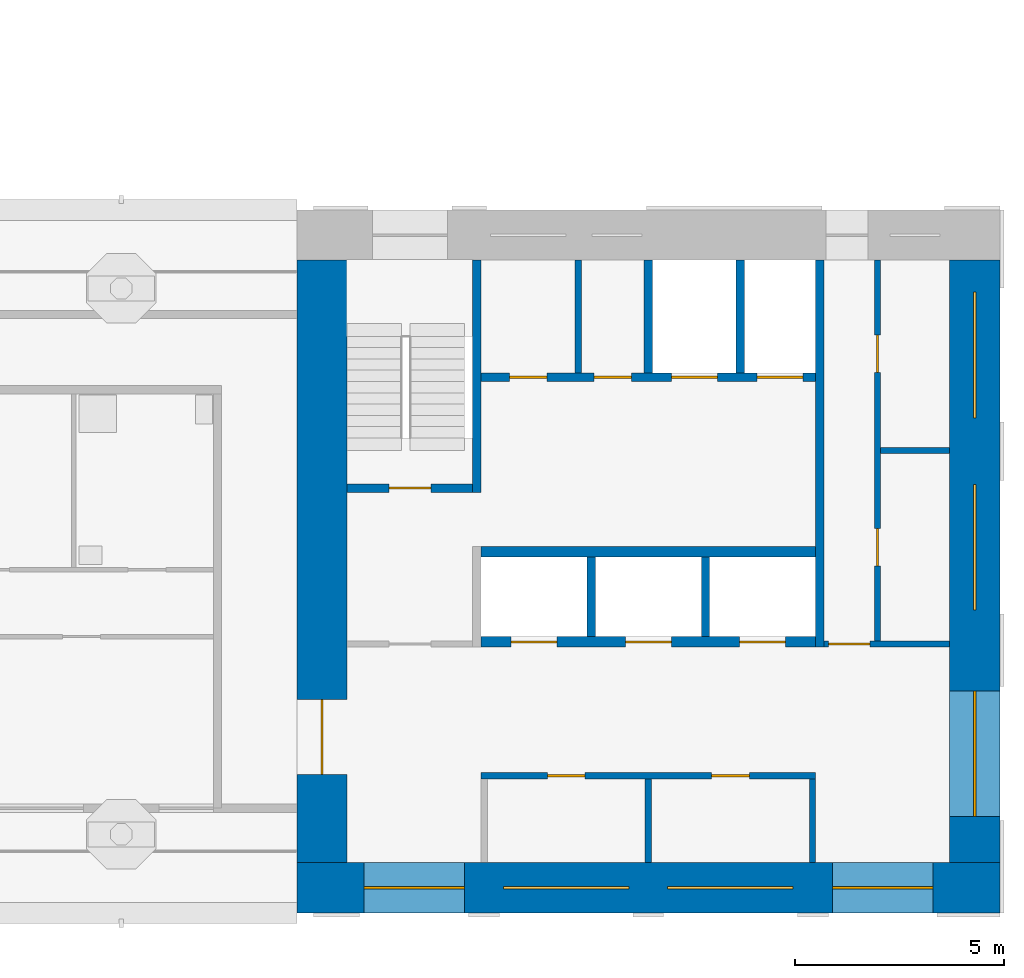
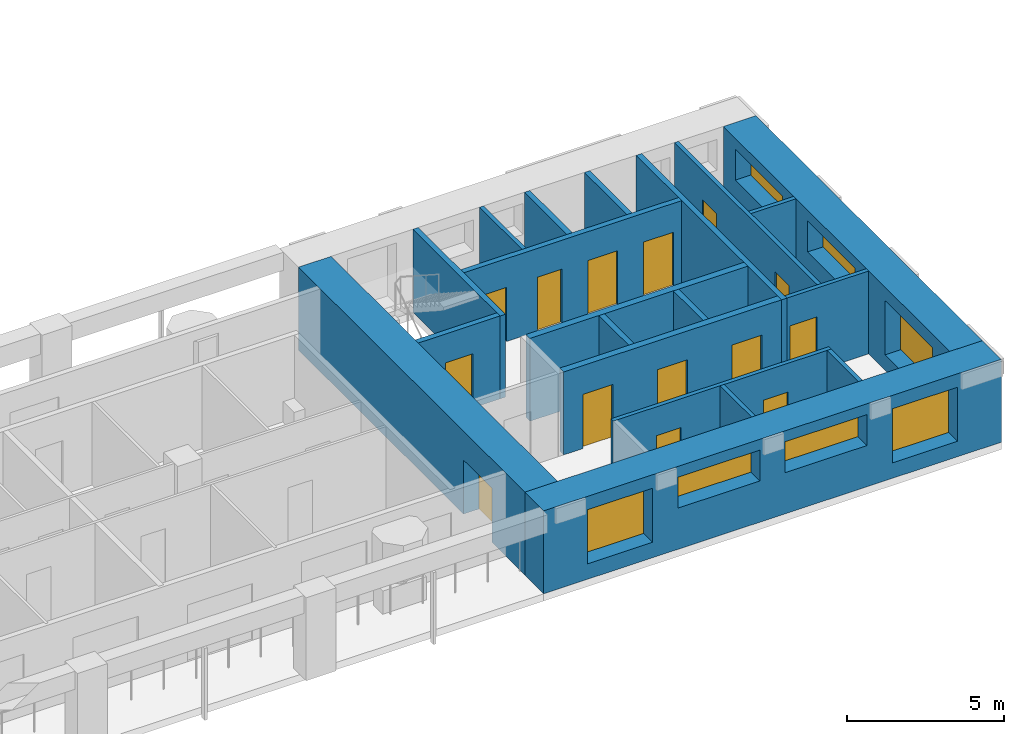
# One storey, part 4 of 11: 20 walls, 14 doors, 7 windows, 21 openings.
"""IFC4 building model written with IfcOpenShell, lengths in metres."""

from ifc_helpers import new_model, si_unit, direction, frame, frame_2d, origin, place, context, subcontext, project, spatial, rectangle, extrude, material, layer, layer_set, type_object, element, fill, save


model = new_model("IFC4")

# Units and contexts
model_context = context("Model", 3, precision=1e-05, world=origin(), true_north=direction((0.0, 1.0)))
body_context = subcontext(model_context, "Body", "Model", "MODEL_VIEW")
ifc_project = project(units=[si_unit("LENGTHUNIT", "METRE"), si_unit("AREAUNIT", "SQUARE_METRE"), si_unit("VOLUMEUNIT", "CUBIC_METRE"), si_unit("PLANEANGLEUNIT", "RADIAN"), si_unit("MASSUNIT", "GRAM", prefix="KILO")], contexts=[model_context])

# Site, building, storey
site_placement = place(None, origin())
site = spatial("IfcSite", under=ifc_project, at=site_placement, CompositionType="ELEMENT")
building_placement = place(site_placement, origin())
building = spatial("IfcBuilding", under=site, at=building_placement, Name="Vermilion Gate Residences", CompositionType="ELEMENT")
storey_placement = place(building_placement, frame((0.0, 0.0, 263.199951171875)))
storey = spatial("IfcBuildingStorey", under=building, at=storey_placement, Name="L69", CompositionType="ELEMENT", Elevation=263.199951171875)

# Walls
ifc_material_1 = material(Name="Masonry blockwork", Category="masonry")
ifc_layer_1 = layer(ifc_material_1, 0.14990234375)
ifc_layer_set_1 = layer_set([ifc_layer_1], Name="BLOCKWORK PARTITION 150 EI 120")
wall_type_1 = type_object("IfcWallType", Name="BLOCKWORK PARTITION 150 EI 120", PredefinedType="PARTITIONING", material=ifc_layer_set_1)
for number, where, z_axis, x_axis, name in (
    (1, (54.324951171875, 9.60009765625, 0.0), (0.0, 0.0, 1.0), (0.0, 1.0, 0.0), "Core room partition A69-RW-E"),
    (2, (50.39990234375, 9.60009765625, 0.0), (0.0, 0.0, 1.0), (0.0, 1.0, 0.0), "Core room partition A69-SR-P0"),
):
    element("IfcWall", number, at=place(storey_placement, frame(where, z_axis=z_axis, x_axis=x_axis)), inside=storey, type_object=wall_type_1, Name=name, PredefinedType="PARTITIONING", context=body_context, shape_type="SweptSolid", body=[
        extrude(rectangle(XDim=2.0, YDim=0.14990234375, at=frame_2d((1.0, 0.0))), origin(), (0.0, 0.0, 1.0), 3.219970703125),
    ])

# Wall, openings, doors
wall_1_placement = place(storey_placement, frame((46.39990234375, 11.675048828125, 0.0), z_axis=(0.0, 0.0, 1.0), x_axis=(1.0, 0.0, 0.0)))
wall_1 = element("IfcWall", 3, at=wall_1_placement, inside=storey, type_object=wall_type_1, Name="Core room partition A69-LR-F", PredefinedType="PARTITIONING", context=body_context, shape_type="SweptSolid", body=[
    extrude(rectangle(XDim=8.0, YDim=0.14990234375, at=frame_2d((4.0, 0.0))), origin(), (0.0, 0.0, 1.0), 3.219970703125),
])
opening_1_placement = place(wall_1_placement, frame((1.58740234375, 0.0, 0.0)))
opening_1 = element("IfcOpeningElement", 4, at=opening_1_placement, cuts=wall_1, Name="Opening DK69002", PredefinedType="OPENING", context=body_context, shape_type="SweptSolid", body=[
    extrude(rectangle(XDim=0.89990234375, YDim=2.10009765625, at=frame_2d((0.449951171875, 1.050048828125))), frame((0.0, 0.0849609375, 0.0), z_axis=(0.0, -1.0, 0.0), x_axis=(1.0, 0.0, 0.0)), (0.0, 0.0, 1.0), 0.169921875),
])
opening_2_placement = place(wall_1_placement, frame((5.512451171875, 0.0, 0.0)))
opening_2 = element("IfcOpeningElement", 5, at=opening_2_placement, cuts=wall_1, Name="Opening DK69003", PredefinedType="OPENING", context=body_context, shape_type="SweptSolid", body=[
    extrude(rectangle(XDim=0.89990234375, YDim=2.10009765625, at=frame_2d((0.449951171875, 1.050048828125))), frame((0.0, 0.0849609375, 0.0), z_axis=(0.0, -1.0, 0.0), x_axis=(1.0, 0.0, 0.0)), (0.0, 0.0, 1.0), 0.169921875),
])
ifc_material_2 = material(Name="Steel", Category="steel")
door_type_1 = type_object("IfcDoorType", Name="SERVICE ROOM DOOR FD60 900 X 2100", OperationType="SINGLE_SWING_LEFT", PredefinedType="DOOR", material=ifc_material_2)
door_1_placement = place(opening_1_placement, frame((0.89990234375, 0.0, 0.0), z_axis=(0.0, 0.0, 1.0), x_axis=(-1.0, 0.0, 0.0)))
door_1 = element("IfcDoor", 6, at=door_1_placement, inside=storey, type_object=door_type_1, Name="Housekeeping store A69", OperationType="SINGLE_SWING_RIGHT", OverallHeight=2.10009765625, OverallWidth=0.89990234375, PredefinedType="DOOR", context=body_context, shape_type="SweptSolid", body=[
    extrude(rectangle(XDim=0.89990234375, YDim=2.10009765625, at=frame_2d((0.449951171875, 1.050048828125))), frame((0.0, 0.02490234375, 0.0), z_axis=(0.0, -1.0, 0.0), x_axis=(1.0, 0.0, 0.0)), (0.0, 0.0, 1.0), 0.050048828125),
])
fill(opening_1, door_1)
door_2_placement = place(opening_2_placement, frame((0.89990234375, 0.0, 0.0), z_axis=(0.0, 0.0, 1.0), x_axis=(-1.0, 0.0, 0.0)))
door_2 = element("IfcDoor", 7, at=door_2_placement, inside=storey, type_object=door_type_1, Name="Fire equipment store A69", OperationType="SINGLE_SWING_RIGHT", OverallHeight=2.10009765625, OverallWidth=0.89990234375, PredefinedType="DOOR", context=body_context, shape_type="SweptSolid", body=[
    extrude(rectangle(XDim=0.89990234375, YDim=2.10009765625, at=frame_2d((0.449951171875, 1.050048828125))), frame((0.0, 0.02490234375, 0.0), z_axis=(0.0, -1.0, 0.0), x_axis=(1.0, 0.0, 0.0)), (0.0, 0.0, 1.0), 0.050048828125),
])
fill(opening_2, door_2)

# Wall
wall_2_placement = place(storey_placement, frame((48.72509765625, 21.300048828125, 0.0), z_axis=(0.0, 0.0, 1.0), x_axis=(0.0, 1.0, 0.0)))
element("IfcWall", 8, at=wall_2_placement, inside=storey, type_object=wall_type_1, Name="Core room partition A69-NR-P0", PredefinedType="PARTITIONING", context=body_context, shape_type="SweptSolid", body=[
    extrude(rectangle(XDim=2.699951171875, YDim=0.14990234375, at=frame_2d((1.35009765625, 0.0))), origin(), (0.0, 0.0, 1.0), 3.219970703125),
])

# Wall, opening, door
wall_3_placement = place(storey_placement, frame((54.60009765625, 14.824951171875, 0.0), z_axis=(0.0, 0.0, 1.0), x_axis=(1.0, 0.0, 0.0)))
wall_3 = element("IfcWall", 9, at=wall_3_placement, inside=storey, type_object=wall_type_1, Name="Core room partition A69-ES-S", PredefinedType="PARTITIONING", context=body_context, shape_type="SweptSolid", body=[
    extrude(rectangle(XDim=3.0, YDim=0.14990234375, at=frame_2d((1.5, 0.0))), origin(), (0.0, 0.0, 1.0), 3.219970703125),
])
opening_3_placement = place(wall_3_placement, frame((0.10009765625, 0.0, 0.0)))
opening_3 = element("IfcOpeningElement", 10, at=opening_3_placement, cuts=wall_3, Name="Opening DK69013", PredefinedType="OPENING", context=body_context, shape_type="SweptSolid", body=[
    extrude(rectangle(XDim=1.0, YDim=2.10009765625, at=frame_2d((0.5, 1.050048828125))), frame((0.0, 0.0849609375, 0.0), z_axis=(0.0, -1.0, 0.0), x_axis=(1.0, 0.0, 0.0)), (0.0, 0.0, 1.0), 0.169921875),
])
ifc_material_3 = material(Name="Steel", Category="steel")
door_type_2 = type_object("IfcDoorType", Name="FIRE DOOR FD60 1000 X 2100", OperationType="SINGLE_SWING_LEFT", PredefinedType="DOOR", material=ifc_material_3)
door_3_placement = place(opening_3_placement, frame((1.0, 0.0, 0.0), z_axis=(0.0, 0.0, 1.0), x_axis=(-1.0, 0.0, 0.0)))
door_3 = element("IfcDoor", 11, at=door_3_placement, inside=storey, type_object=door_type_2, Name="Service corridor door A69", OperationType="SINGLE_SWING_LEFT", OverallHeight=2.10009765625, OverallWidth=1.0, PredefinedType="DOOR", context=body_context, shape_type="SweptSolid", body=[
    extrude(rectangle(XDim=1.0, YDim=2.10009765625, at=frame_2d((0.5, 1.050048828125))), frame((0.0, 0.02490234375, 0.0), z_axis=(0.0, -1.0, 0.0), x_axis=(1.0, 0.0, 0.0)), (0.0, 0.0, 1.0), 0.050048828125),
])
fill(opening_3, door_3)

# Wall
wall_4_placement = place(storey_placement, frame((55.949951171875, 19.449951171875, 0.0), z_axis=(0.0, 0.0, 1.0), x_axis=(1.0, 0.0, 0.0)))
element("IfcWall", 12, at=wall_4_placement, inside=storey, type_object=wall_type_1, Name="Core room partition A69-ES-P0", PredefinedType="PARTITIONING", context=body_context, shape_type="SweptSolid", body=[
    extrude(rectangle(XDim=1.650146484375, YDim=0.14990234375, at=frame_2d((0.8251953125, 0.0))), origin(), (0.0, 0.0, 1.0), 3.219970703125),
])

# Wall, openings, doors
wall_5_placement = place(storey_placement, frame((55.875, 14.89990234375, 0.0), z_axis=(0.0, 0.0, 1.0), x_axis=(0.0, 1.0, 0.0)))
wall_5 = element("IfcWall", 13, at=wall_5_placement, inside=storey, type_object=wall_type_1, Name="Core room partition A69-ES-W", PredefinedType="PARTITIONING", context=body_context, shape_type="SweptSolid", body=[
    extrude(rectangle(XDim=9.10009765625, YDim=0.14990234375, at=frame_2d((4.550048828125, 0.0))), origin(), (0.0, 0.0, 1.0), 3.219970703125),
])
opening_4_placement = place(wall_5_placement, frame((1.78759765625, 0.0, 0.0)))
opening_4 = element("IfcOpeningElement", 14, at=opening_4_placement, cuts=wall_5, Name="Opening DK69014", PredefinedType="OPENING", context=body_context, shape_type="SweptSolid", body=[
    extrude(rectangle(XDim=0.89990234375, YDim=2.10009765625, at=frame_2d((0.449951171875, 1.050048828125))), frame((0.0, 0.0849609375, 0.0), z_axis=(0.0, -1.0, 0.0), x_axis=(1.0, 0.0, 0.0)), (0.0, 0.0, 1.0), 0.169921875),
])
opening_5_placement = place(wall_5_placement, frame((6.41259765625, 0.0, 0.0)))
opening_5 = element("IfcOpeningElement", 15, at=opening_5_placement, cuts=wall_5, Name="Opening DK69015", PredefinedType="OPENING", context=body_context, shape_type="SweptSolid", body=[
    extrude(rectangle(XDim=0.89990234375, YDim=2.10009765625, at=frame_2d((0.449951171875, 1.050048828125))), frame((0.0, 0.0849609375, 0.0), z_axis=(0.0, -1.0, 0.0), x_axis=(1.0, 0.0, 0.0)), (0.0, 0.0, 1.0), 0.169921875),
])
door_4_placement = place(opening_4_placement, frame((0.89990234375, 0.0, 0.0), z_axis=(0.0, 0.0, 1.0), x_axis=(-1.0, 0.0, 0.0)))
door_4 = element("IfcDoor", 16, at=door_4_placement, inside=storey, type_object=door_type_1, Name="Electrical room A69", OperationType="SINGLE_SWING_RIGHT", OverallHeight=2.10009765625, OverallWidth=0.89990234375, PredefinedType="DOOR", context=body_context, shape_type="SweptSolid", body=[
    extrude(rectangle(XDim=0.89990234375, YDim=2.10009765625, at=frame_2d((0.449951171875, 1.050048828125))), frame((0.0, 0.02490234375, 0.0), z_axis=(0.0, -1.0, 0.0), x_axis=(1.0, 0.0, 0.0)), (0.0, 0.0, 1.0), 0.050048828125),
])
fill(opening_4, door_4)
door_5_placement = place(opening_5_placement, frame((0.89990234375, 0.0, 0.0), z_axis=(0.0, 0.0, 1.0), x_axis=(-1.0, 0.0, 0.0)))
door_5 = element("IfcDoor", 17, at=door_5_placement, inside=storey, type_object=door_type_1, Name="Storage room A69", OperationType="SINGLE_SWING_RIGHT", OverallHeight=2.10009765625, OverallWidth=0.89990234375, PredefinedType="DOOR", context=body_context, shape_type="SweptSolid", body=[
    extrude(rectangle(XDim=0.89990234375, YDim=2.10009765625, at=frame_2d((0.449951171875, 1.050048828125))), frame((0.0, 0.02490234375, 0.0), z_axis=(0.0, -1.0, 0.0), x_axis=(1.0, 0.0, 0.0)), (0.0, 0.0, 1.0), 0.050048828125),
])
fill(opening_5, door_5)

# Walls
ifc_material_4 = material(Name="Concrete C60", Category="concrete")
ifc_layer_2 = layer(ifc_material_4, 0.199951171875)
ifc_layer_set_2 = layer_set([ifc_layer_2], Name="RC CORE INTERNAL WALL 200 C60")
wall_type_2 = type_object("IfcWallType", Name="RC CORE INTERNAL WALL 200 C60", PredefinedType="SHEAR", material=ifc_layer_set_2)
for number, where, z_axis, x_axis, name in (
    (18, (49.033447265625, 15.0, 0.0), (0.0, 0.0, 1.0), (0.0, 1.0, 0.0), "Core internal wall A69-HR-D1"),
    (19, (51.7666015625, 15.0, 0.0), (0.0, 0.0, 1.0), (0.0, 1.0, 0.0), "Core internal wall A69-HR-D2"),
):
    element("IfcWall", number, at=place(storey_placement, frame(where, z_axis=z_axis, x_axis=x_axis)), inside=storey, type_object=wall_type_2, Name=name, PredefinedType="SHEAR", context=body_context, shape_type="SweptSolid", body=[
        extrude(rectangle(XDim=1.89990234375, YDim=0.199951171875, at=frame_2d((0.949951171875, 0.0))), origin(), (0.0, 0.0, 1.0), 3.219970703125),
    ])
for number, where, z_axis, x_axis, name in (
    (20, (50.39990234375, 21.300048828125, 0.0), (0.0, 0.0, 1.0), (0.0, 1.0, 0.0), "Core internal wall A69-FF-D0"),
    (21, (52.60009765625, 21.300048828125, 0.0), (0.0, 0.0, 1.0), (0.0, 1.0, 0.0), "Core internal wall A69-FF-D1"),
):
    element("IfcWall", number, at=place(storey_placement, frame(where, z_axis=z_axis, x_axis=x_axis)), inside=storey, type_object=wall_type_2, Name=name, PredefinedType="SHEAR", context=body_context, shape_type="SweptSolid", body=[
        extrude(rectangle(XDim=2.699951171875, YDim=0.199951171875, at=frame_2d((1.35009765625, 0.0))), origin(), (0.0, 0.0, 1.0), 3.219970703125),
    ])

# Wall, openings, doors
wall_6_placement = place(storey_placement, frame((46.39990234375, 21.199951171875, 0.0), z_axis=(0.0, 0.0, 1.0), x_axis=(1.0, 0.0, 0.0)))
wall_6 = element("IfcWall", 22, at=wall_6_placement, inside=storey, type_object=wall_type_2, Name="Core internal wall A69-FF-F", PredefinedType="SHEAR", context=body_context, shape_type="SweptSolid", body=[
    extrude(rectangle(XDim=8.0, YDim=0.199951171875, at=frame_2d((4.0, 0.0))), origin(), (0.0, 0.0, 1.0), 3.219970703125),
])
opening_6_placement = place(wall_6_placement, frame((0.675048828125, 0.0, 0.0)))
opening_6 = element("IfcOpeningElement", 23, at=opening_6_placement, cuts=wall_6, Name="Opening DK69007", PredefinedType="OPENING", context=body_context, shape_type="SweptSolid", body=[
    extrude(rectangle(XDim=0.89990234375, YDim=2.10009765625, at=frame_2d((0.449951171875, 1.050048828125))), frame((0.0, 0.10986328125, 0.0), z_axis=(0.0, -1.0, 0.0), x_axis=(1.0, 0.0, 0.0)), (0.0, 0.0, 1.0), 0.219970703125),
])
opening_7_placement = place(wall_6_placement, frame((2.699951171875, 0.0, 0.0)))
opening_7 = element("IfcOpeningElement", 24, at=opening_7_placement, cuts=wall_6, Name="Opening DK69008", PredefinedType="OPENING", context=body_context, shape_type="SweptSolid", body=[
    extrude(rectangle(XDim=0.89990234375, YDim=2.10009765625, at=frame_2d((0.449951171875, 1.050048828125))), frame((0.0, 0.10986328125, 0.0), z_axis=(0.0, -1.0, 0.0), x_axis=(1.0, 0.0, 0.0)), (0.0, 0.0, 1.0), 0.219970703125),
])
opening_8_placement = place(wall_6_placement, frame((4.550048828125, 0.0, 0.0)))
opening_8 = element("IfcOpeningElement", 25, at=opening_8_placement, cuts=wall_6, Name="Opening LD", PredefinedType="OPENING", context=body_context, shape_type="SweptSolid", body=[
    extrude(rectangle(XDim=1.10009765625, YDim=2.10009765625, at=frame_2d((0.550048828125, 1.050048828125))), frame((0.0, 0.10986328125, 0.0), z_axis=(0.0, -1.0, 0.0), x_axis=(1.0, 0.0, 0.0)), (0.0, 0.0, 1.0), 0.219970703125),
])
opening_9_placement = place(wall_6_placement, frame((6.60009765625, 0.0, 0.0)))
opening_9 = element("IfcOpeningElement", 26, at=opening_9_placement, cuts=wall_6, Name="Opening LD", PredefinedType="OPENING", context=body_context, shape_type="SweptSolid", body=[
    extrude(rectangle(XDim=1.10009765625, YDim=2.10009765625, at=frame_2d((0.550048828125, 1.050048828125))), frame((0.0, 0.10986328125, 0.0), z_axis=(0.0, -1.0, 0.0), x_axis=(1.0, 0.0, 0.0)), (0.0, 0.0, 1.0), 0.219970703125),
])
ifc_material_5 = material(Name="Stainless steel", Category="steel")
door_type_3 = type_object("IfcDoorType", Name="LIFT LANDING DOOR E60 1100 X 2100", OperationType="DOUBLE_DOOR_SLIDING", PredefinedType="DOOR", material=ifc_material_5)
door_6_placement = place(opening_8_placement, origin())
door_6 = element("IfcDoor", 27, at=door_6_placement, inside=storey, type_object=door_type_3, Name="Lift landing door LFA1", OperationType="DOUBLE_DOOR_SLIDING", OverallHeight=2.10009765625, OverallWidth=1.10009765625, PredefinedType="DOOR", context=body_context, shape_type="SweptSolid", body=[
    extrude(rectangle(XDim=1.10009765625, YDim=2.10009765625, at=frame_2d((0.550048828125, 1.050048828125))), frame((0.0, 0.02490234375, 0.0), z_axis=(0.0, -1.0, 0.0), x_axis=(1.0, 0.0, 0.0)), (0.0, 0.0, 1.0), 0.050048828125),
])
fill(opening_8, door_6)
door_7_placement = place(opening_9_placement, origin())
door_7 = element("IfcDoor", 28, at=door_7_placement, inside=storey, type_object=door_type_3, Name="Lift landing door LCA1", OperationType="DOUBLE_DOOR_SLIDING", OverallHeight=2.10009765625, OverallWidth=1.10009765625, PredefinedType="DOOR", context=body_context, shape_type="SweptSolid", body=[
    extrude(rectangle(XDim=1.10009765625, YDim=2.10009765625, at=frame_2d((0.550048828125, 1.050048828125))), frame((0.0, 0.02490234375, 0.0), z_axis=(0.0, -1.0, 0.0), x_axis=(1.0, 0.0, 0.0)), (0.0, 0.0, 1.0), 0.050048828125),
])
fill(opening_9, door_7)
door_8_placement = place(opening_6_placement, origin())
door_8 = element("IfcDoor", 29, at=door_8_placement, inside=storey, type_object=door_type_1, Name="Parcel room A69", OperationType="SINGLE_SWING_LEFT", OverallHeight=2.10009765625, OverallWidth=0.89990234375, PredefinedType="DOOR", context=body_context, shape_type="SweptSolid", body=[
    extrude(rectangle(XDim=0.89990234375, YDim=2.10009765625, at=frame_2d((0.449951171875, 1.050048828125))), frame((0.0, 0.02490234375, 0.0), z_axis=(0.0, -1.0, 0.0), x_axis=(1.0, 0.0, 0.0)), (0.0, 0.0, 1.0), 0.050048828125),
])
fill(opening_6, door_8)
door_9_placement = place(opening_7_placement, frame((0.89990234375, 0.0, 0.0), z_axis=(0.0, 0.0, 1.0), x_axis=(-1.0, 0.0, 0.0)))
door_9 = element("IfcDoor", 30, at=door_9_placement, inside=storey, type_object=door_type_1, Name="Electrical room A69", OperationType="SINGLE_SWING_RIGHT", OverallHeight=2.10009765625, OverallWidth=0.89990234375, PredefinedType="DOOR", context=body_context, shape_type="SweptSolid", body=[
    extrude(rectangle(XDim=0.89990234375, YDim=2.10009765625, at=frame_2d((0.449951171875, 1.050048828125))), frame((0.0, 0.02490234375, 0.0), z_axis=(0.0, -1.0, 0.0), x_axis=(1.0, 0.0, 0.0)), (0.0, 0.0, 1.0), 0.050048828125),
])
fill(opening_7, door_9)

# Wall
wall_7_placement = place(storey_placement, frame((46.300048828125, 18.449951171875, 0.0), z_axis=(0.0, 0.0, 1.0), x_axis=(0.0, 1.0, 0.0)))
element("IfcWall", 31, at=wall_7_placement, inside=storey, type_object=wall_type_2, Name="Core internal wall A69-WDIV2", PredefinedType="SHEAR", context=body_context, shape_type="SweptSolid", body=[
    extrude(rectangle(XDim=5.550048828125, YDim=0.199951171875, at=frame_2d((2.77490234375, 0.0))), origin(), (0.0, 0.0, 1.0), 3.219970703125),
])

# Wall, opening, door
wall_8_placement = place(storey_placement, frame((43.199951171875, 18.550048828125, 0.0), z_axis=(0.0, 0.0, 1.0), x_axis=(1.0, 0.0, 0.0)))
wall_8 = element("IfcWall", 32, at=wall_8_placement, inside=storey, type_object=wall_type_2, Name="Core internal wall A69-STW-S", PredefinedType="SHEAR", context=body_context, shape_type="SweptSolid", body=[
    extrude(rectangle(XDim=3.0, YDim=0.199951171875, at=frame_2d((1.5, 0.0))), origin(), (0.0, 0.0, 1.0), 3.219970703125),
])
opening_10_placement = place(wall_8_placement, frame((1.0, 0.0, 0.0)))
opening_10 = element("IfcOpeningElement", 33, at=opening_10_placement, cuts=wall_8, Name="Opening DK69012", PredefinedType="OPENING", context=body_context, shape_type="SweptSolid", body=[
    extrude(rectangle(XDim=1.0, YDim=2.10009765625, at=frame_2d((0.5, 1.050048828125))), frame((0.0, 0.10986328125, 0.0), z_axis=(0.0, -1.0, 0.0), x_axis=(1.0, 0.0, 0.0)), (0.0, 0.0, 1.0), 0.219970703125),
])
door_10_placement = place(opening_10_placement, origin())
door_10 = element("IfcDoor", 34, at=door_10_placement, inside=storey, type_object=door_type_2, Name="Stair door A69", OperationType="SINGLE_SWING_LEFT", OverallHeight=2.10009765625, OverallWidth=1.0, PredefinedType="DOOR", context=body_context, shape_type="SweptSolid", body=[
    extrude(rectangle(XDim=1.0, YDim=2.10009765625, at=frame_2d((0.5, 1.050048828125))), frame((0.0, 0.02490234375, 0.0), z_axis=(0.0, -1.0, 0.0), x_axis=(1.0, 0.0, 0.0)), (0.0, 0.0, 1.0), 0.050048828125),
])
fill(opening_10, door_10)

# Wall
wall_9_placement = place(storey_placement, frame((54.5, 14.75, 0.0), z_axis=(0.0, 0.0, 1.0), x_axis=(0.0, 1.0, 0.0)))
element("IfcWall", 35, at=wall_9_placement, inside=storey, type_object=wall_type_2, Name="Core internal wall A69-EDIV", PredefinedType="SHEAR", context=body_context, shape_type="SweptSolid", body=[
    extrude(rectangle(XDim=9.25, YDim=0.199951171875, at=frame_2d((4.625, 0.0))), origin(), (0.0, 0.0, 1.0), 3.219970703125),
])

# Wall, opening, door
ifc_material_6 = material(Name="Concrete C50", Category="concrete")
ifc_layer_3 = layer(ifc_material_6, 1.199951171875)
ifc_layer_set_3 = layer_set([ifc_layer_3], Name="RC CORE WALL 1200 C50")
wall_type_3 = type_object("IfcWallType", Name="RC CORE WALL 1200 C50", PredefinedType="SHEAR", material=ifc_layer_set_3)
wall_10_placement = place(storey_placement, frame((42.60009765625, 9.60009765625, 0.0), z_axis=(0.0, 0.0, 1.0), x_axis=(0.0, 1.0, 0.0)))
wall_10 = element("IfcWall", 36, at=wall_10_placement, inside=storey, type_object=wall_type_3, Name="Core wall A69-OUT-FR", PredefinedType="SHEAR", context=body_context, shape_type="SweptSolid", body=[
    extrude(rectangle(XDim=14.39990234375, YDim=1.199951171875, at=frame_2d((7.199951171875, 0.0))), origin(), (0.0, 0.0, 1.0), 3.219970703125),
])
opening_11_placement = place(wall_10_placement, frame((2.10009765625, 0.0, 0.0)))
opening_11 = element("IfcOpeningElement", 37, at=opening_11_placement, cuts=wall_10, Name="Opening DK69001", PredefinedType="OPENING", context=body_context, shape_type="SweptSolid", body=[
    extrude(rectangle(XDim=1.800048828125, YDim=2.10009765625, at=frame_2d((0.89990234375, 1.050048828125))), frame((0.0, 0.60986328125, 0.0), z_axis=(0.0, -1.0, 0.0), x_axis=(1.0, 0.0, 0.0)), (0.0, 0.0, 1.0), 1.219970703125),
])
ifc_material_7 = material(Name="Steel", Category="steel")
door_type_4 = type_object("IfcDoorType", Name="CORE LOBBY DOOR FD60 1800 X 2100", OperationType="DOUBLE_DOOR_SINGLE_SWING", PredefinedType="DOOR", material=ifc_material_7)
door_11_placement = place(opening_11_placement, frame((1.800048828125, 0.0, 0.0), z_axis=(0.0, 0.0, 1.0), x_axis=(-1.0, 0.0, 0.0)))
door_11 = element("IfcDoor", 38, at=door_11_placement, inside=storey, type_object=door_type_4, Name="Core lobby door A69", OperationType="DOUBLE_DOOR_SINGLE_SWING", OverallHeight=2.10009765625, OverallWidth=1.800048828125, PredefinedType="DOOR", context=body_context, shape_type="SweptSolid", body=[
    extrude(rectangle(XDim=1.800048828125, YDim=2.10009765625, at=frame_2d((0.89990234375, 1.050048828125))), frame((0.0, 0.02490234375, 0.0), z_axis=(0.0, -1.0, 0.0), x_axis=(1.0, 0.0, 0.0)), (0.0, 0.0, 1.0), 0.050048828125),
])
fill(opening_11, door_11)

# Wall, openings, windows
ifc_material_8 = material(Name="Concrete C50 red-oxide pigmented", Category="concrete")
ifc_layer_4 = layer(ifc_material_8, 1.199951171875)
ifc_layer_set_4 = layer_set([ifc_layer_4], Name="RC CORE WALL 1200 C50 RED OXIDE")
wall_type_4 = type_object("IfcWallType", Name="RC CORE WALL 1200 C50 RED OXIDE", PredefinedType="SHEAR", material=ifc_layer_set_4)
wall_11_placement = place(storey_placement, frame((42.0, 9.0, 0.0), z_axis=(0.0, 0.0, 1.0), x_axis=(1.0, 0.0, 0.0)))
wall_11 = element("IfcWall", 39, at=wall_11_placement, inside=storey, type_object=wall_type_4, Name="Core wall A69-OUT-B0", PredefinedType="SHEAR", context=body_context, shape_type="SweptSolid", body=[
    extrude(rectangle(XDim=16.800048828125, YDim=1.199951171875, at=frame_2d((8.39990234375, 0.0))), origin(), (0.0, 0.0, 1.0), 3.219970703125),
])
opening_12_placement = place(wall_11_placement, frame((1.60009765625, 0.0, 0.60009765625)))
opening_12 = element("IfcOpeningElement", 40, at=opening_12_placement, cuts=wall_11, Name="Opening WKA6901", PredefinedType="OPENING", context=body_context, shape_type="SweptSolid", body=[
    extrude(rectangle(XDim=2.39990234375, YDim=2.10009765625, at=frame_2d((1.199951171875, 1.050048828125))), frame((0.0, 0.60986328125, 0.0), z_axis=(0.0, -1.0, 0.0), x_axis=(1.0, 0.0, 0.0)), (0.0, 0.0, 1.0), 1.219970703125),
])
opening_13_placement = place(wall_11_placement, frame((4.9375, 0.0, 1.60009765625)))
opening_13 = element("IfcOpeningElement", 41, at=opening_13_placement, cuts=wall_11, Name="Opening WKA6902", PredefinedType="OPENING", context=body_context, shape_type="SweptSolid", body=[
    extrude(rectangle(XDim=3.0, YDim=1.199951171875, at=frame_2d((1.5, 0.60009765625))), frame((0.0, 0.60986328125, 0.0), z_axis=(0.0, -1.0, 0.0), x_axis=(1.0, 0.0, 0.0)), (0.0, 0.0, 1.0), 1.219970703125),
])
opening_14_placement = place(wall_11_placement, frame((8.862548828125, 0.0, 1.60009765625)))
opening_14 = element("IfcOpeningElement", 42, at=opening_14_placement, cuts=wall_11, Name="Opening WKA6903", PredefinedType="OPENING", context=body_context, shape_type="SweptSolid", body=[
    extrude(rectangle(XDim=3.0, YDim=1.199951171875, at=frame_2d((1.5, 0.60009765625))), frame((0.0, 0.60986328125, 0.0), z_axis=(0.0, -1.0, 0.0), x_axis=(1.0, 0.0, 0.0)), (0.0, 0.0, 1.0), 1.219970703125),
])
opening_15_placement = place(wall_11_placement, frame((12.800048828125, 0.0, 0.60009765625)))
opening_15 = element("IfcOpeningElement", 43, at=opening_15_placement, cuts=wall_11, Name="Opening WKA6904", PredefinedType="OPENING", context=body_context, shape_type="SweptSolid", body=[
    extrude(rectangle(XDim=2.39990234375, YDim=2.10009765625, at=frame_2d((1.199951171875, 1.050048828125))), frame((0.0, 0.60986328125, 0.0), z_axis=(0.0, -1.0, 0.0), x_axis=(1.0, 0.0, 0.0)), (0.0, 0.0, 1.0), 1.219970703125),
])
ifc_material_9 = material(Name="Aluminium and clear glass", Category="aluminium")
window_type_1 = type_object("IfcWindowType", Name="CORE LOBBY WINDOW 2400 X 2100", PartitioningType="SINGLE_PANEL", PredefinedType="WINDOW", material=ifc_material_9)
window_1_placement = place(opening_12_placement, origin())
window_1 = element("IfcWindow", 44, at=window_1_placement, inside=storey, type_object=window_type_1, Name="Core lobby window", OverallHeight=2.10009765625, OverallWidth=2.39990234375, PartitioningType="SINGLE_PANEL", PredefinedType="WINDOW", context=body_context, shape_type="SweptSolid", body=[
    extrude(rectangle(XDim=2.39990234375, YDim=2.10009765625, at=frame_2d((1.199951171875, 1.050048828125))), frame((0.0, 0.030029296875, 0.0), z_axis=(0.0, -1.0, 0.0), x_axis=(1.0, 0.0, 0.0)), (0.0, 0.0, 1.0), 0.06005859375),
])
fill(opening_12, window_1)
window_2_placement = place(opening_15_placement, origin())
window_2 = element("IfcWindow", 45, at=window_2_placement, inside=storey, type_object=window_type_1, Name="Core lobby window", OverallHeight=2.10009765625, OverallWidth=2.39990234375, PartitioningType="SINGLE_PANEL", PredefinedType="WINDOW", context=body_context, shape_type="SweptSolid", body=[
    extrude(rectangle(XDim=2.39990234375, YDim=2.10009765625, at=frame_2d((1.199951171875, 1.050048828125))), frame((0.0, 0.030029296875, 0.0), z_axis=(0.0, -1.0, 0.0), x_axis=(1.0, 0.0, 0.0)), (0.0, 0.0, 1.0), 0.06005859375),
])
fill(opening_15, window_2)
ifc_material_10 = material(Name="Aluminium frame with louvre blades", Category="aluminium")
window_type_2 = type_object("IfcWindowType", Name="CORE LOUVRE 3000 X 1200", PartitioningType="SINGLE_PANEL", PredefinedType="WINDOW", material=ifc_material_10)
window_3_placement = place(opening_13_placement, origin())
window_3 = element("IfcWindow", 46, at=window_3_placement, inside=storey, type_object=window_type_2, Name="Core louvre", OverallHeight=1.199951171875, OverallWidth=3.0, PartitioningType="SINGLE_PANEL", PredefinedType="WINDOW", context=body_context, shape_type="SweptSolid", body=[
    extrude(rectangle(XDim=3.0, YDim=1.199951171875, at=frame_2d((1.5, 0.60009765625))), frame((0.0, 0.030029296875, 0.0), z_axis=(0.0, -1.0, 0.0), x_axis=(1.0, 0.0, 0.0)), (0.0, 0.0, 1.0), 0.06005859375),
])
fill(opening_13, window_3)
window_4_placement = place(opening_14_placement, origin())
window_4 = element("IfcWindow", 47, at=window_4_placement, inside=storey, type_object=window_type_2, Name="Core louvre", OverallHeight=1.199951171875, OverallWidth=3.0, PartitioningType="SINGLE_PANEL", PredefinedType="WINDOW", context=body_context, shape_type="SweptSolid", body=[
    extrude(rectangle(XDim=3.0, YDim=1.199951171875, at=frame_2d((1.5, 0.60009765625))), frame((0.0, 0.030029296875, 0.0), z_axis=(0.0, -1.0, 0.0), x_axis=(1.0, 0.0, 0.0)), (0.0, 0.0, 1.0), 0.06005859375),
])
fill(opening_14, window_4)

wall_12_placement = place(storey_placement, frame((58.199951171875, 9.60009765625, 0.0), z_axis=(0.0, 0.0, 1.0), x_axis=(0.0, 1.0, 0.0)))
wall_12 = element("IfcWall", 48, at=wall_12_placement, inside=storey, type_object=wall_type_4, Name="Core wall A69-OUT-BK", PredefinedType="SHEAR", context=body_context, shape_type="SweptSolid", body=[
    extrude(rectangle(XDim=14.39990234375, YDim=1.199951171875, at=frame_2d((7.199951171875, 0.0))), origin(), (0.0, 0.0, 1.0), 3.219970703125),
])
opening_16_placement = place(wall_12_placement, frame((1.10498046875, 0.0, 0.60009765625)))
opening_16 = element("IfcOpeningElement", 49, at=opening_16_placement, cuts=wall_12, Name="Opening WKA6910", PredefinedType="OPENING", context=body_context, shape_type="SweptSolid", body=[
    extrude(rectangle(XDim=3.0, YDim=2.10009765625, at=frame_2d((1.5, 1.050048828125))), frame((0.0, 0.60986328125, 0.0), z_axis=(0.0, -1.0, 0.0), x_axis=(1.0, 0.0, 0.0)), (0.0, 0.0, 1.0), 1.219970703125),
])
opening_17_placement = place(wall_12_placement, frame((6.03759765625, 0.0, 1.60009765625)))
opening_17 = element("IfcOpeningElement", 50, at=opening_17_placement, cuts=wall_12, Name="Opening WKA6911", PredefinedType="OPENING", context=body_context, shape_type="SweptSolid", body=[
    extrude(rectangle(XDim=3.0, YDim=1.199951171875, at=frame_2d((1.5, 0.60009765625))), frame((0.0, 0.60986328125, 0.0), z_axis=(0.0, -1.0, 0.0), x_axis=(1.0, 0.0, 0.0)), (0.0, 0.0, 1.0), 1.219970703125),
])
opening_18_placement = place(wall_12_placement, frame((10.632568359375, 0.0, 1.60009765625)))
opening_18 = element("IfcOpeningElement", 51, at=opening_18_placement, cuts=wall_12, Name="Opening WKA6912", PredefinedType="OPENING", context=body_context, shape_type="SweptSolid", body=[
    extrude(rectangle(XDim=3.0, YDim=1.199951171875, at=frame_2d((1.5, 0.60009765625))), frame((0.0, 0.60986328125, 0.0), z_axis=(0.0, -1.0, 0.0), x_axis=(1.0, 0.0, 0.0)), (0.0, 0.0, 1.0), 1.219970703125),
])
ifc_material_11 = material(Name="Aluminium and clear glass", Category="aluminium")
window_type_3 = type_object("IfcWindowType", Name="CORE LOBBY WINDOW 3000 X 2100", PartitioningType="SINGLE_PANEL", PredefinedType="WINDOW", material=ifc_material_11)
window_5_placement = place(opening_16_placement, origin())
window_5 = element("IfcWindow", 52, at=window_5_placement, inside=storey, type_object=window_type_3, Name="Core lobby window", OverallHeight=2.10009765625, OverallWidth=3.0, PartitioningType="SINGLE_PANEL", PredefinedType="WINDOW", context=body_context, shape_type="SweptSolid", body=[
    extrude(rectangle(XDim=3.0, YDim=2.10009765625, at=frame_2d((1.5, 1.050048828125))), frame((0.0, 0.030029296875, 0.0), z_axis=(0.0, -1.0, 0.0), x_axis=(1.0, 0.0, 0.0)), (0.0, 0.0, 1.0), 0.06005859375),
])
fill(opening_16, window_5)
window_6_placement = place(opening_17_placement, origin())
window_6 = element("IfcWindow", 53, at=window_6_placement, inside=storey, type_object=window_type_2, Name="Core louvre", OverallHeight=1.199951171875, OverallWidth=3.0, PartitioningType="SINGLE_PANEL", PredefinedType="WINDOW", context=body_context, shape_type="SweptSolid", body=[
    extrude(rectangle(XDim=3.0, YDim=1.199951171875, at=frame_2d((1.5, 0.60009765625))), frame((0.0, 0.030029296875, 0.0), z_axis=(0.0, -1.0, 0.0), x_axis=(1.0, 0.0, 0.0)), (0.0, 0.0, 1.0), 0.06005859375),
])
fill(opening_17, window_6)
window_7_placement = place(opening_18_placement, origin())
window_7 = element("IfcWindow", 54, at=window_7_placement, inside=storey, type_object=window_type_2, Name="Core louvre", OverallHeight=1.199951171875, OverallWidth=3.0, PartitioningType="SINGLE_PANEL", PredefinedType="WINDOW", context=body_context, shape_type="SweptSolid", body=[
    extrude(rectangle(XDim=3.0, YDim=1.199951171875, at=frame_2d((1.5, 0.60009765625))), frame((0.0, 0.030029296875, 0.0), z_axis=(0.0, -1.0, 0.0), x_axis=(1.0, 0.0, 0.0)), (0.0, 0.0, 1.0), 0.06005859375),
])
fill(opening_18, window_7)

# Wall, openings, doors
ifc_material_12 = material(Name="Concrete C60", Category="concrete")
ifc_layer_5 = layer(ifc_material_12, 0.25)
ifc_layer_set_5 = layer_set([ifc_layer_5], Name="RC LIFT SHAFT WALL 250 C60")
wall_type_5 = type_object("IfcWallType", Name="RC LIFT SHAFT WALL 250 C60", PredefinedType="SHEAR", material=ifc_layer_set_5)
wall_13_placement = place(storey_placement, frame((46.39990234375, 14.875, 0.0), z_axis=(0.0, 0.0, 1.0), x_axis=(1.0, 0.0, 0.0)))
wall_13 = element("IfcWall", 55, at=wall_13_placement, inside=storey, type_object=wall_type_5, Name="Lift shaft wall A69-HR-F", PredefinedType="SHEAR", context=body_context, shape_type="SweptSolid", body=[
    extrude(rectangle(XDim=8.0, YDim=0.25, at=frame_2d((4.0, 0.0))), origin(), (0.0, 0.0, 1.0), 3.219970703125),
])
opening_19_placement = place(wall_13_placement, frame((0.716552734375, 0.0, 0.0)))
opening_19 = element("IfcOpeningElement", 56, at=opening_19_placement, cuts=wall_13, Name="Opening LD", PredefinedType="OPENING", context=body_context, shape_type="SweptSolid", body=[
    extrude(rectangle(XDim=1.10009765625, YDim=2.10009765625, at=frame_2d((0.550048828125, 1.050048828125))), frame((0.0, 0.135009765625, 0.0), z_axis=(0.0, -1.0, 0.0), x_axis=(1.0, 0.0, 0.0)), (0.0, 0.0, 1.0), 0.27001953125),
])
opening_20_placement = place(wall_13_placement, frame((3.449951171875, 0.0, 0.0)))
opening_20 = element("IfcOpeningElement", 57, at=opening_20_placement, cuts=wall_13, Name="Opening LD", PredefinedType="OPENING", context=body_context, shape_type="SweptSolid", body=[
    extrude(rectangle(XDim=1.10009765625, YDim=2.10009765625, at=frame_2d((0.550048828125, 1.050048828125))), frame((0.0, 0.135009765625, 0.0), z_axis=(0.0, -1.0, 0.0), x_axis=(1.0, 0.0, 0.0)), (0.0, 0.0, 1.0), 0.27001953125),
])
opening_21_placement = place(wall_13_placement, frame((6.183349609375, 0.0, 0.0)))
opening_21 = element("IfcOpeningElement", 58, at=opening_21_placement, cuts=wall_13, Name="Opening LD", PredefinedType="OPENING", context=body_context, shape_type="SweptSolid", body=[
    extrude(rectangle(XDim=1.10009765625, YDim=2.10009765625, at=frame_2d((0.550048828125, 1.050048828125))), frame((0.0, 0.135009765625, 0.0), z_axis=(0.0, -1.0, 0.0), x_axis=(1.0, 0.0, 0.0)), (0.0, 0.0, 1.0), 0.27001953125),
])
door_12_placement = place(opening_19_placement, origin())
door_12 = element("IfcDoor", 59, at=door_12_placement, inside=storey, type_object=door_type_3, Name="Lift landing door HRA1", OperationType="DOUBLE_DOOR_SLIDING", OverallHeight=2.10009765625, OverallWidth=1.10009765625, PredefinedType="DOOR", context=body_context, shape_type="SweptSolid", body=[
    extrude(rectangle(XDim=1.10009765625, YDim=2.10009765625, at=frame_2d((0.550048828125, 1.050048828125))), frame((0.0, 0.02490234375, 0.0), z_axis=(0.0, -1.0, 0.0), x_axis=(1.0, 0.0, 0.0)), (0.0, 0.0, 1.0), 0.050048828125),
])
fill(opening_19, door_12)
door_13_placement = place(opening_20_placement, origin())
door_13 = element("IfcDoor", 60, at=door_13_placement, inside=storey, type_object=door_type_3, Name="Lift landing door HRA2", OperationType="DOUBLE_DOOR_SLIDING", OverallHeight=2.10009765625, OverallWidth=1.10009765625, PredefinedType="DOOR", context=body_context, shape_type="SweptSolid", body=[
    extrude(rectangle(XDim=1.10009765625, YDim=2.10009765625, at=frame_2d((0.550048828125, 1.050048828125))), frame((0.0, 0.02490234375, 0.0), z_axis=(0.0, -1.0, 0.0), x_axis=(1.0, 0.0, 0.0)), (0.0, 0.0, 1.0), 0.050048828125),
])
fill(opening_20, door_13)
door_14_placement = place(opening_21_placement, origin())
door_14 = element("IfcDoor", 61, at=door_14_placement, inside=storey, type_object=door_type_3, Name="Lift landing door HRA3", OperationType="DOUBLE_DOOR_SLIDING", OverallHeight=2.10009765625, OverallWidth=1.10009765625, PredefinedType="DOOR", context=body_context, shape_type="SweptSolid", body=[
    extrude(rectangle(XDim=1.10009765625, YDim=2.10009765625, at=frame_2d((0.550048828125, 1.050048828125))), frame((0.0, 0.02490234375, 0.0), z_axis=(0.0, -1.0, 0.0), x_axis=(1.0, 0.0, 0.0)), (0.0, 0.0, 1.0), 0.050048828125),
])
fill(opening_21, door_14)

# Wall
wall_14_placement = place(storey_placement, frame((46.39990234375, 17.02490234375, 0.0), z_axis=(0.0, 0.0, 1.0), x_axis=(1.0, 0.0, 0.0)))
element("IfcWall", 62, at=wall_14_placement, inside=storey, type_object=wall_type_5, Name="Lift shaft wall A69-HR-B", PredefinedType="SHEAR", context=body_context, shape_type="SweptSolid", body=[
    extrude(rectangle(XDim=8.0, YDim=0.25, at=frame_2d((4.0, 0.0))), origin(), (0.0, 0.0, 1.0), 3.219970703125),
])

save(model, "model.ifc")
